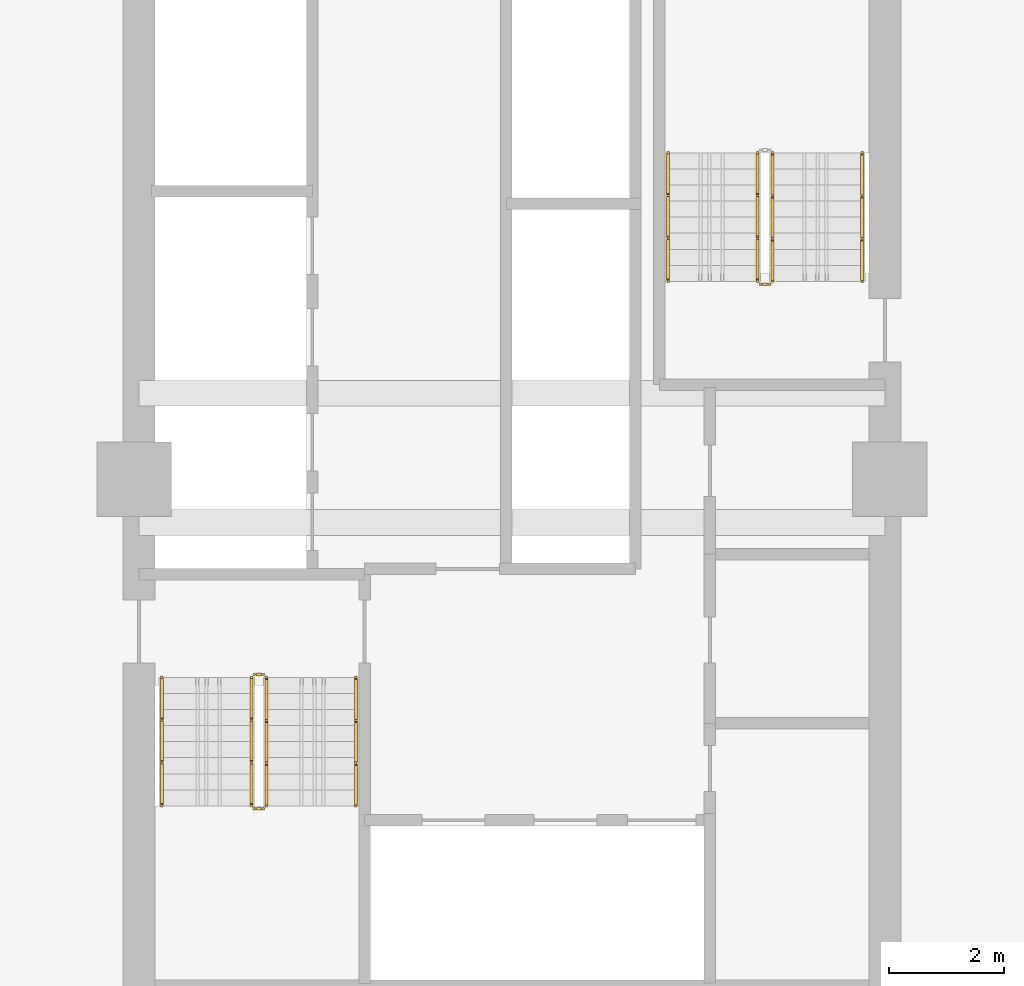
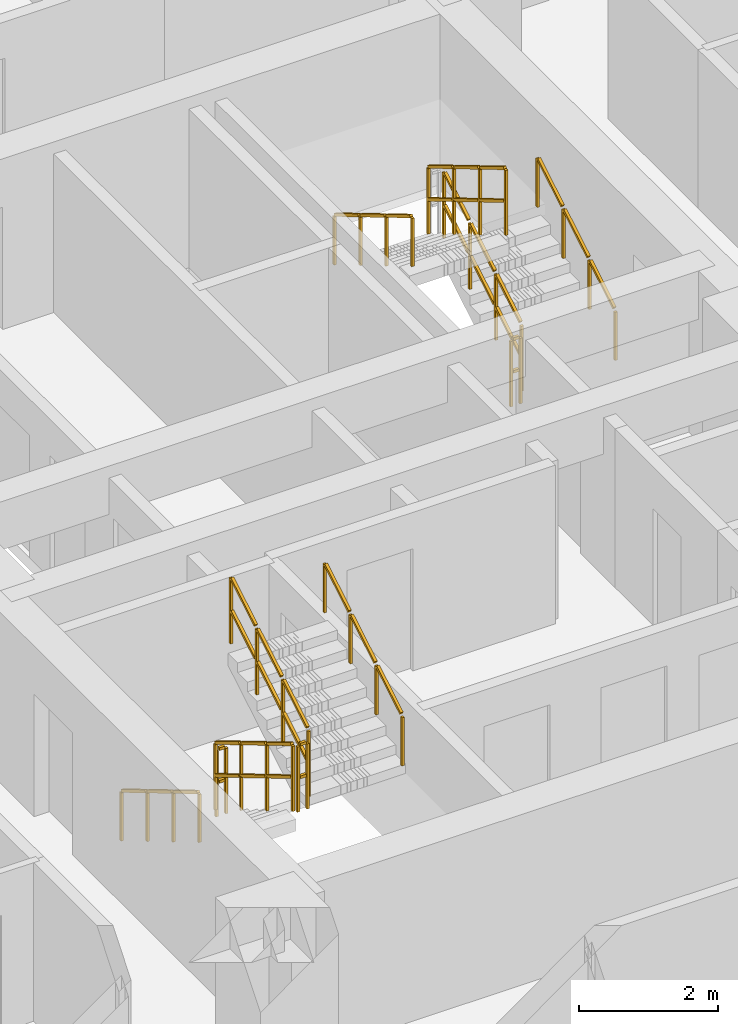
# One storey, part 11 of 13: 11 railings.
"""IFC4 building model written with IfcOpenShell, lengths in metres."""

from ifc_helpers import new_model, si_unit, direction, frame, origin, origin_2d, place, context, subcontext, project, spatial, rectangle, extrude, material, type_object, element, save


model = new_model("IFC4")

# Units and contexts
model_context = context("Model", 3, precision=1e-05, world=origin(), true_north=direction((0.0, 1.0)))
body_context = subcontext(model_context, "Body", "Model", "MODEL_VIEW")
ifc_project = project(units=[si_unit("LENGTHUNIT", "METRE"), si_unit("AREAUNIT", "SQUARE_METRE"), si_unit("VOLUMEUNIT", "CUBIC_METRE"), si_unit("PLANEANGLEUNIT", "RADIAN"), si_unit("MASSUNIT", "GRAM", prefix="KILO")], contexts=[model_context])

# Site, building, storey
site_placement = place(None, origin())
site = spatial("IfcSite", under=ifc_project, at=site_placement, CompositionType="ELEMENT")
building_placement = place(site_placement, origin())
building = spatial("IfcBuilding", under=site, at=building_placement, Name="Saelheon Loggia Tower", CompositionType="ELEMENT")
storey_placement = place(building_placement, frame((0.0, 0.0, 83.85009765625)))
storey = spatial("IfcBuildingStorey", under=building, at=storey_placement, Name="L26", CompositionType="ELEMENT", Elevation=83.85009765625)

# Railings
ifc_material_1 = material(Name="Galvanised Steel S275 Stairwell Guardrail", Category="steel")
railing_type_1 = type_object("IfcRailingType", Name="Guard_StairWell_RL_STG", PredefinedType="GUARDRAIL", material=ifc_material_1)
railing_1_placement = place(storey_placement, frame((33.4599609375, 23.550048828125, 0.16650390625)))
element("IfcRailing", 1, at=railing_1_placement, inside=storey, type_object=railing_type_1, Name="L26 ST1 stair guard 1", PredefinedType="GUARDRAIL", context=body_context, shape_type="SweptSolid", body=[
    extrude(rectangle(XDim=0.048095703125, YDim=0.048095703125, at=origin_2d()), frame((0.0, -0.028564453125, 1.19287109375), z_axis=(0.0, -0.859264461869, 0.511531606619), x_axis=(1.0, 0.0, 0.0)), (0.0, 0.0, 1.0), 0.802490234375),
    extrude(rectangle(XDim=0.048095703125, YDim=0.048095703125, at=origin_2d()), frame((0.0, -0.028564453125, 0.616943359375), z_axis=(0.0, -0.859264461869, 0.511531606619), x_axis=(1.0, 0.0, 0.0)), (0.0, 0.0, 1.0), 0.802490234375),
    extrude(rectangle(XDim=0.048095703125, YDim=0.048095703125, at=origin_2d()), frame((0.0, -0.775146484375, 1.637451171875), z_axis=(0.0, -0.859264461869, 0.511531606619), x_axis=(1.0, 0.0, 0.0)), (0.0, 0.0, 1.0), 0.802490234375),
    extrude(rectangle(XDim=0.048095703125, YDim=0.048095703125, at=origin_2d()), frame((0.0, -0.775146484375, 1.0615234375), z_axis=(0.0, -0.859264461869, 0.511531606619), x_axis=(1.0, 0.0, 0.0)), (0.0, 0.0, 1.0), 0.802490234375),
    extrude(rectangle(XDim=0.048095703125, YDim=0.048095703125, at=origin_2d()), frame((0.0, -1.52197265625, 2.081787109375), z_axis=(0.0, -0.859264461869, 0.511531606619), x_axis=(1.0, 0.0, 0.0)), (0.0, 0.0, 1.0), 0.802490234375),
    extrude(rectangle(XDim=0.048095703125, YDim=0.048095703125, at=origin_2d()), frame((0.0, -1.52197265625, 1.505859375), z_axis=(0.0, -0.859264461869, 0.511531606619), x_axis=(1.0, 0.0, 0.0)), (0.0, 0.0, 1.0), 0.802490234375),
    extrude(rectangle(XDim=0.0419921875, YDim=0.0419921875, at=origin_2d()), origin(), (0.0, 0.0, 1.0), 1.14794921875),
    extrude(rectangle(XDim=0.0419921875, YDim=0.0419921875, at=origin_2d()), frame((0.0, -0.74658203125, 0.444580078125)), (0.0, 0.0, 1.0), 1.14794921875),
    extrude(rectangle(XDim=0.0419921875, YDim=0.0419921875, at=origin_2d()), frame((0.0, -1.493408203125, 0.888916015625)), (0.0, 0.0, 1.0), 1.14794921875),
    extrude(rectangle(XDim=0.0419921875, YDim=0.0419921875, at=origin_2d()), frame((0.0, -2.239990234375, 1.33349609375)), (0.0, 0.0, 1.0), 1.14794921875),
])
railing_2_placement = place(storey_placement, frame((33.510009765625, 21.260009765625, 1.5)))
element("IfcRailing", 2, at=railing_2_placement, inside=storey, type_object=railing_type_1, Name="L26 ST1 stair guard 2", PredefinedType="GUARDRAIL", context=body_context, shape_type="SweptSolid", body=[
    extrude(rectangle(XDim=0.048095703125, YDim=0.048095703125, at=origin_2d()), frame((0.033203125, 0.0, 1.17578125), z_axis=(1.0, 0.0, 0.0), x_axis=(0.0, 1.0, 0.0)), (0.0, 0.0, 1.0), 0.093505859375),
    extrude(rectangle(XDim=0.048095703125, YDim=0.048095703125, at=origin_2d()), frame((0.033203125, 0.0, 0.60009765625), z_axis=(1.0, 0.0, 0.0), x_axis=(0.0, 1.0, 0.0)), (0.0, 0.0, 1.0), 0.093505859375),
    extrude(rectangle(XDim=0.0419921875, YDim=0.0419921875, at=origin_2d()), origin(), (0.0, 0.0, 1.0), 1.14794921875),
    extrude(rectangle(XDim=0.0419921875, YDim=0.0419921875, at=origin_2d()), frame((0.159912109375, 0.0, 0.0)), (0.0, 0.0, 1.0), 1.14794921875),
])
railing_3_placement = place(storey_placement, frame((33.719970703125, 21.31005859375, 1.66650390625)))
element("IfcRailing", 3, at=railing_3_placement, inside=storey, type_object=railing_type_1, Name="L26 ST1 stair guard 3", PredefinedType="GUARDRAIL", context=body_context, shape_type="SweptSolid", body=[
    extrude(rectangle(XDim=0.048095703125, YDim=0.048095703125, at=origin_2d()), frame((0.0, 0.028564453125, 1.19287109375), z_axis=(0.0, 0.859264461869, 0.511531606619), x_axis=(-1.0, 0.0, 0.0)), (0.0, 0.0, 1.0), 0.802490234375),
    extrude(rectangle(XDim=0.048095703125, YDim=0.048095703125, at=origin_2d()), frame((0.0, 0.028564453125, 0.616943359375), z_axis=(0.0, 0.859264461869, 0.511531606619), x_axis=(-1.0, 0.0, 0.0)), (0.0, 0.0, 1.0), 0.802490234375),
    extrude(rectangle(XDim=0.048095703125, YDim=0.048095703125, at=origin_2d()), frame((0.0, 0.775146484375, 1.637451171875), z_axis=(0.0, 0.859264461869, 0.511531606619), x_axis=(-1.0, 0.0, 0.0)), (0.0, 0.0, 1.0), 0.802490234375),
    extrude(rectangle(XDim=0.048095703125, YDim=0.048095703125, at=origin_2d()), frame((0.0, 0.775146484375, 1.0615234375), z_axis=(0.0, 0.859264461869, 0.511531606619), x_axis=(-1.0, 0.0, 0.0)), (0.0, 0.0, 1.0), 0.802490234375),
    extrude(rectangle(XDim=0.048095703125, YDim=0.048095703125, at=origin_2d()), frame((0.0, 1.52197265625, 2.081787109375), z_axis=(0.0, 0.859264461869, 0.511531606619), x_axis=(-1.0, 0.0, 0.0)), (0.0, 0.0, 1.0), 0.802490234375),
    extrude(rectangle(XDim=0.048095703125, YDim=0.048095703125, at=origin_2d()), frame((0.0, 1.52197265625, 1.505859375), z_axis=(0.0, 0.859264461869, 0.511531606619), x_axis=(-1.0, 0.0, 0.0)), (0.0, 0.0, 1.0), 0.802490234375),
    extrude(rectangle(XDim=0.0419921875, YDim=0.0419921875, at=origin_2d()), origin(), (0.0, 0.0, 1.0), 1.14794921875),
    extrude(rectangle(XDim=0.0419921875, YDim=0.0419921875, at=origin_2d()), frame((0.0, 0.74658203125, 0.444580078125)), (0.0, 0.0, 1.0), 1.14794921875),
    extrude(rectangle(XDim=0.0419921875, YDim=0.0419921875, at=origin_2d()), frame((0.0, 1.493408203125, 0.888916015625)), (0.0, 0.0, 1.0), 1.14794921875),
    extrude(rectangle(XDim=0.0419921875, YDim=0.0419921875, at=origin_2d()), frame((0.0, 2.239990234375, 1.33349609375)), (0.0, 0.0, 1.0), 1.14794921875),
])
railing_4_placement = place(storey_placement, frame((33.510009765625, 23.60009765625, 0.0)))
element("IfcRailing", 4, at=railing_4_placement, inside=storey, type_object=railing_type_1, Name="L26 ST1 stair guard 4", PredefinedType="GUARDRAIL", context=body_context, shape_type="SweptSolid", body=[
    extrude(rectangle(XDim=0.048095703125, YDim=0.048095703125, at=origin_2d()), frame((0.033203125, 0.0, 1.17578125), z_axis=(1.0, 0.0, 0.0), x_axis=(0.0, 1.0, 0.0)), (0.0, 0.0, 1.0), 0.093505859375),
    extrude(rectangle(XDim=0.048095703125, YDim=0.048095703125, at=origin_2d()), frame((0.033203125, 0.0, 0.60009765625), z_axis=(1.0, 0.0, 0.0), x_axis=(0.0, 1.0, 0.0)), (0.0, 0.0, 1.0), 0.093505859375),
    extrude(rectangle(XDim=0.0419921875, YDim=0.0419921875, at=origin_2d()), origin(), (0.0, 0.0, 1.0), 1.14794921875),
    extrude(rectangle(XDim=0.0419921875, YDim=0.0419921875, at=origin_2d()), frame((0.159912109375, 0.0, 0.0)), (0.0, 0.0, 1.0), 1.14794921875),
])
railing_5_placement = place(storey_placement, frame((42.5400390625, 30.449951171875, 0.16650390625)))
element("IfcRailing", 5, at=railing_5_placement, inside=storey, type_object=railing_type_1, Name="L26 ST2 stair guard 1", PredefinedType="GUARDRAIL", context=body_context, shape_type="SweptSolid", body=[
    extrude(rectangle(XDim=0.048095703125, YDim=0.048095703125, at=origin_2d()), frame((0.0, 0.028564453125, 1.19287109375), z_axis=(0.0, 0.859264461869, 0.511531606619), x_axis=(-1.0, 0.0, 0.0)), (0.0, 0.0, 1.0), 0.802490234375),
    extrude(rectangle(XDim=0.048095703125, YDim=0.048095703125, at=origin_2d()), frame((0.0, 0.028564453125, 0.616943359375), z_axis=(0.0, 0.859264461869, 0.511531606619), x_axis=(-1.0, 0.0, 0.0)), (0.0, 0.0, 1.0), 0.802490234375),
    extrude(rectangle(XDim=0.048095703125, YDim=0.048095703125, at=origin_2d()), frame((0.0, 0.775146484375, 1.637451171875), z_axis=(0.0, 0.859264461869, 0.511531606619), x_axis=(-1.0, 0.0, 0.0)), (0.0, 0.0, 1.0), 0.802490234375),
    extrude(rectangle(XDim=0.048095703125, YDim=0.048095703125, at=origin_2d()), frame((0.0, 0.775146484375, 1.0615234375), z_axis=(0.0, 0.859264461869, 0.511531606619), x_axis=(-1.0, 0.0, 0.0)), (0.0, 0.0, 1.0), 0.802490234375),
    extrude(rectangle(XDim=0.048095703125, YDim=0.048095703125, at=origin_2d()), frame((0.0, 1.52197265625, 2.081787109375), z_axis=(0.0, 0.859264461869, 0.511531606619), x_axis=(-1.0, 0.0, 0.0)), (0.0, 0.0, 1.0), 0.802490234375),
    extrude(rectangle(XDim=0.048095703125, YDim=0.048095703125, at=origin_2d()), frame((0.0, 1.52197265625, 1.505859375), z_axis=(0.0, 0.859264461869, 0.511531606619), x_axis=(-1.0, 0.0, 0.0)), (0.0, 0.0, 1.0), 0.802490234375),
    extrude(rectangle(XDim=0.0419921875, YDim=0.0419921875, at=origin_2d()), origin(), (0.0, 0.0, 1.0), 1.14794921875),
    extrude(rectangle(XDim=0.0419921875, YDim=0.0419921875, at=origin_2d()), frame((0.0, 0.74658203125, 0.444580078125)), (0.0, 0.0, 1.0), 1.14794921875),
    extrude(rectangle(XDim=0.0419921875, YDim=0.0419921875, at=origin_2d()), frame((0.0, 1.493408203125, 0.888916015625)), (0.0, 0.0, 1.0), 1.14794921875),
    extrude(rectangle(XDim=0.0419921875, YDim=0.0419921875, at=origin_2d()), frame((0.0, 2.239990234375, 1.33349609375)), (0.0, 0.0, 1.0), 1.14794921875),
])
railing_6_placement = place(storey_placement, frame((42.280029296875, 32.68994140625, 1.66650390625)))
element("IfcRailing", 6, at=railing_6_placement, inside=storey, type_object=railing_type_1, Name="L26 ST2 stair guard 3", PredefinedType="GUARDRAIL", context=body_context, shape_type="SweptSolid", body=[
    extrude(rectangle(XDim=0.048095703125, YDim=0.048095703125, at=origin_2d()), frame((0.0, -0.028564453125, 1.19287109375), z_axis=(0.0, -0.859264461869, 0.511531606619), x_axis=(1.0, 0.0, 0.0)), (0.0, 0.0, 1.0), 0.802490234375),
    extrude(rectangle(XDim=0.048095703125, YDim=0.048095703125, at=origin_2d()), frame((0.0, -0.028564453125, 0.616943359375), z_axis=(0.0, -0.859264461869, 0.511531606619), x_axis=(1.0, 0.0, 0.0)), (0.0, 0.0, 1.0), 0.802490234375),
    extrude(rectangle(XDim=0.048095703125, YDim=0.048095703125, at=origin_2d()), frame((0.0, -0.775146484375, 1.637451171875), z_axis=(0.0, -0.859264461869, 0.511531606619), x_axis=(1.0, 0.0, 0.0)), (0.0, 0.0, 1.0), 0.802490234375),
    extrude(rectangle(XDim=0.048095703125, YDim=0.048095703125, at=origin_2d()), frame((0.0, -0.775146484375, 1.0615234375), z_axis=(0.0, -0.859264461869, 0.511531606619), x_axis=(1.0, 0.0, 0.0)), (0.0, 0.0, 1.0), 0.802490234375),
    extrude(rectangle(XDim=0.048095703125, YDim=0.048095703125, at=origin_2d()), frame((0.0, -1.52197265625, 2.081787109375), z_axis=(0.0, -0.859264461869, 0.511531606619), x_axis=(1.0, 0.0, 0.0)), (0.0, 0.0, 1.0), 0.802490234375),
    extrude(rectangle(XDim=0.048095703125, YDim=0.048095703125, at=origin_2d()), frame((0.0, -1.52197265625, 1.505859375), z_axis=(0.0, -0.859264461869, 0.511531606619), x_axis=(1.0, 0.0, 0.0)), (0.0, 0.0, 1.0), 0.802490234375),
    extrude(rectangle(XDim=0.0419921875, YDim=0.0419921875, at=origin_2d()), origin(), (0.0, 0.0, 1.0), 1.14794921875),
    extrude(rectangle(XDim=0.0419921875, YDim=0.0419921875, at=origin_2d()), frame((0.0, -0.74658203125, 0.444580078125)), (0.0, 0.0, 1.0), 1.14794921875),
    extrude(rectangle(XDim=0.0419921875, YDim=0.0419921875, at=origin_2d()), frame((0.0, -1.493408203125, 0.888916015625)), (0.0, 0.0, 1.0), 1.14794921875),
    extrude(rectangle(XDim=0.0419921875, YDim=0.0419921875, at=origin_2d()), frame((0.0, -2.239990234375, 1.33349609375)), (0.0, 0.0, 1.0), 1.14794921875),
])
railing_7_placement = place(storey_placement, frame((42.489990234375, 30.39990234375, 0.0)))
element("IfcRailing", 7, at=railing_7_placement, inside=storey, type_object=railing_type_1, Name="L26 ST2 stair guard 4", PredefinedType="GUARDRAIL", context=body_context, shape_type="SweptSolid", body=[
    extrude(rectangle(XDim=0.048095703125, YDim=0.048095703125, at=origin_2d()), frame((-0.033203125, 0.0, 1.17578125), z_axis=(-1.0, 0.0, 0.0), x_axis=(0.0, -1.0, 0.0)), (0.0, 0.0, 1.0), 0.093505859375),
    extrude(rectangle(XDim=0.048095703125, YDim=0.048095703125, at=origin_2d()), frame((-0.033203125, 0.0, 0.60009765625), z_axis=(-1.0, 0.0, 0.0), x_axis=(0.0, -1.0, 0.0)), (0.0, 0.0, 1.0), 0.093505859375),
    extrude(rectangle(XDim=0.0419921875, YDim=0.0419921875, at=origin_2d()), origin(), (0.0, 0.0, 1.0), 1.14794921875),
    extrude(rectangle(XDim=0.0419921875, YDim=0.0419921875, at=origin_2d()), frame((-0.159912109375, 0.0, 0.0)), (0.0, 0.0, 1.0), 1.14794921875),
])
ifc_material_2 = material(Name="Stainless Steel 304 Tubular Handrail", Category="steel")
railing_type_2 = type_object("IfcRailingType", Name="Handrail_Stair_RL_HR1", PredefinedType="HANDRAIL", material=ifc_material_2)
railing_8_placement = place(storey_placement, frame((31.89990234375, 23.550048828125, 0.16650390625)))
element("IfcRailing", 8, at=railing_8_placement, inside=storey, type_object=railing_type_2, Name="L26 ST1 stair handrail 1", PredefinedType="HANDRAIL", context=body_context, shape_type="SweptSolid", body=[
    extrude(rectangle(XDim=0.048095703125, YDim=0.048095703125, at=origin_2d()), frame((0.0, -0.028564453125, 0.892822265625), z_axis=(0.0, -0.859264461869, 0.511531606619), x_axis=(1.0, 0.0, 0.0)), (0.0, 0.0, 1.0), 0.802490234375),
    extrude(rectangle(XDim=0.048095703125, YDim=0.048095703125, at=origin_2d()), frame((0.0, -0.775146484375, 1.33740234375), z_axis=(0.0, -0.859264461869, 0.511531606619), x_axis=(1.0, 0.0, 0.0)), (0.0, 0.0, 1.0), 0.802490234375),
    extrude(rectangle(XDim=0.048095703125, YDim=0.048095703125, at=origin_2d()), frame((0.0, -1.52197265625, 1.78173828125), z_axis=(0.0, -0.859264461869, 0.511531606619), x_axis=(1.0, 0.0, 0.0)), (0.0, 0.0, 1.0), 0.802490234375),
    extrude(rectangle(XDim=0.0419921875, YDim=0.0419921875, at=origin_2d()), origin(), (0.0, 0.0, 1.0), 0.847900390625),
    extrude(rectangle(XDim=0.0419921875, YDim=0.0419921875, at=origin_2d()), frame((0.0, -0.74658203125, 0.444580078125)), (0.0, 0.0, 1.0), 0.847900390625),
    extrude(rectangle(XDim=0.0419921875, YDim=0.0419921875, at=origin_2d()), frame((0.0, -1.493408203125, 0.888916015625)), (0.0, 0.0, 1.0), 0.847900390625),
    extrude(rectangle(XDim=0.0419921875, YDim=0.0419921875, at=origin_2d()), frame((0.0, -2.239990234375, 1.33349609375)), (0.0, 0.0, 1.0), 0.847900390625),
])
for number, where, name in (
    (9, (35.280029296875, 21.31005859375, 1.66650390625), "L26 ST1 stair handrail 2"),
    (10, (44.10009765625, 30.449951171875, 0.16650390625), "L26 ST2 stair handrail 1"),
):
    element("IfcRailing", number, at=place(storey_placement, frame(where)), inside=storey, type_object=railing_type_2, Name=name, PredefinedType="HANDRAIL", context=body_context, shape_type="SweptSolid", body=[
        extrude(rectangle(XDim=0.048095703125, YDim=0.048095703125, at=origin_2d()), frame((0.0, 0.028564453125, 0.892822265625), z_axis=(0.0, 0.859264461869, 0.511531606619), x_axis=(-1.0, 0.0, 0.0)), (0.0, 0.0, 1.0), 0.802490234375),
        extrude(rectangle(XDim=0.048095703125, YDim=0.048095703125, at=origin_2d()), frame((0.0, 0.775146484375, 1.33740234375), z_axis=(0.0, 0.859264461869, 0.511531606619), x_axis=(-1.0, 0.0, 0.0)), (0.0, 0.0, 1.0), 0.802490234375),
        extrude(rectangle(XDim=0.048095703125, YDim=0.048095703125, at=origin_2d()), frame((0.0, 1.52197265625, 1.78173828125), z_axis=(0.0, 0.859264461869, 0.511531606619), x_axis=(-1.0, 0.0, 0.0)), (0.0, 0.0, 1.0), 0.802490234375),
        extrude(rectangle(XDim=0.0419921875, YDim=0.0419921875, at=origin_2d()), origin(), (0.0, 0.0, 1.0), 0.847900390625),
        extrude(rectangle(XDim=0.0419921875, YDim=0.0419921875, at=origin_2d()), frame((0.0, 0.74658203125, 0.444580078125)), (0.0, 0.0, 1.0), 0.847900390625),
        extrude(rectangle(XDim=0.0419921875, YDim=0.0419921875, at=origin_2d()), frame((0.0, 1.493408203125, 0.888916015625)), (0.0, 0.0, 1.0), 0.847900390625),
        extrude(rectangle(XDim=0.0419921875, YDim=0.0419921875, at=origin_2d()), frame((0.0, 2.239990234375, 1.33349609375)), (0.0, 0.0, 1.0), 0.847900390625),
    ])
railing_9_placement = place(storey_placement, frame((40.719970703125, 32.68994140625, 1.66650390625)))
element("IfcRailing", 11, at=railing_9_placement, inside=storey, type_object=railing_type_2, Name="L26 ST2 stair handrail 2", PredefinedType="HANDRAIL", context=body_context, shape_type="SweptSolid", body=[
    extrude(rectangle(XDim=0.048095703125, YDim=0.048095703125, at=origin_2d()), frame((0.0, -0.028564453125, 0.892822265625), z_axis=(0.0, -0.859264461869, 0.511531606619), x_axis=(1.0, 0.0, 0.0)), (0.0, 0.0, 1.0), 0.802490234375),
    extrude(rectangle(XDim=0.048095703125, YDim=0.048095703125, at=origin_2d()), frame((0.0, -0.775146484375, 1.33740234375), z_axis=(0.0, -0.859264461869, 0.511531606619), x_axis=(1.0, 0.0, 0.0)), (0.0, 0.0, 1.0), 0.802490234375),
    extrude(rectangle(XDim=0.048095703125, YDim=0.048095703125, at=origin_2d()), frame((0.0, -1.52197265625, 1.78173828125), z_axis=(0.0, -0.859264461869, 0.511531606619), x_axis=(1.0, 0.0, 0.0)), (0.0, 0.0, 1.0), 0.802490234375),
    extrude(rectangle(XDim=0.0419921875, YDim=0.0419921875, at=origin_2d()), origin(), (0.0, 0.0, 1.0), 0.847900390625),
    extrude(rectangle(XDim=0.0419921875, YDim=0.0419921875, at=origin_2d()), frame((0.0, -0.74658203125, 0.444580078125)), (0.0, 0.0, 1.0), 0.847900390625),
    extrude(rectangle(XDim=0.0419921875, YDim=0.0419921875, at=origin_2d()), frame((0.0, -1.493408203125, 0.888916015625)), (0.0, 0.0, 1.0), 0.847900390625),
    extrude(rectangle(XDim=0.0419921875, YDim=0.0419921875, at=origin_2d()), frame((0.0, -2.239990234375, 1.33349609375)), (0.0, 0.0, 1.0), 0.847900390625),
])

save(model, "model.ifc")
